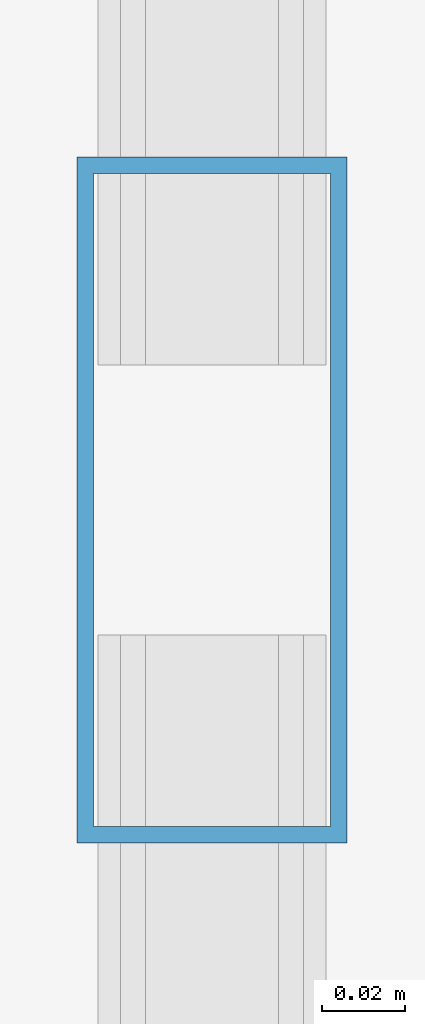
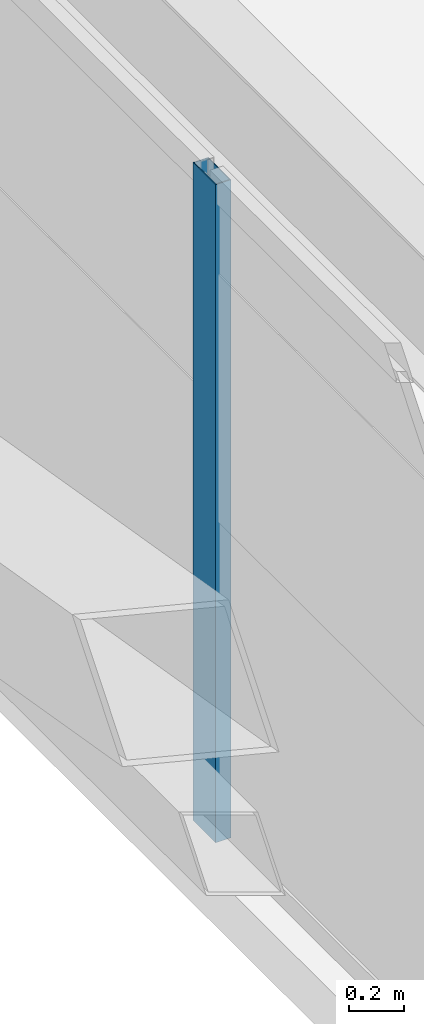
# One storey, part 8 of 59: 1 member, 1 element without a shape of its own.
"""IFC4 building model written with IfcOpenShell, lengths in metres."""

from ifc_helpers import new_model, si_unit, direction, frame, origin, origin_2d, place, context, subcontext, project, spatial, hollow_rectangle, extrude, source, transform, mapped, material, layer, layer_set, material_profile, profile_set, type_object, element, aggregate, save


model = new_model("IFC4")

# Units and contexts
model_context = context("Model", 3, precision=1e-05, world=origin(), true_north=direction((0.0, 1.0)))
body_context = subcontext(model_context, "Body", "Model", "MODEL_VIEW")
ifc_project = project(units=[si_unit("LENGTHUNIT", "METRE"), si_unit("AREAUNIT", "SQUARE_METRE"), si_unit("VOLUMEUNIT", "CUBIC_METRE"), si_unit("PLANEANGLEUNIT", "RADIAN"), si_unit("MASSUNIT", "GRAM", prefix="KILO")], contexts=[model_context])

# Site, building, storey
site_placement = place(None, origin())
site = spatial("IfcSite", under=ifc_project, at=site_placement, CompositionType="ELEMENT")
building_placement = place(site_placement, origin())
building = spatial("IfcBuilding", under=site, at=building_placement, Name="Taldren Reach Tower", CompositionType="ELEMENT")
storey_placement = place(building_placement, frame((0.0, 0.0, 45.14990234375)))
storey = spatial("IfcBuildingStorey", under=building, at=storey_placement, Name="L13", CompositionType="ELEMENT", Elevation=45.14990234375)

# Curtain wall, member
ifc_material_1 = material(Name="Aluminium and Low-E Glass Unitised System", Category="aluminium")
ifc_layer = layer(ifc_material_1, 0.159912109375)
ifc_layer_set = layer_set([ifc_layer], Name="Aluminium and Low-E Glass Unitised System")
curtain_wall_type = type_object("IfcCurtainWallType", Name="CW-SYS-2", PredefinedType="NOTDEFINED", material=ifc_layer_set)
curtain_wall_placement = place(storey_placement, origin())
curtain_wall = element("IfcCurtainWall", 1, at=curtain_wall_placement, inside=storey, type_object=curtain_wall_type, Name="Unitised curtain wall CW-L13-W", PredefinedType="NOTDEFINED")
ifc_material_2 = material(Name="Anodised Aluminium 6063-T6", Category="aluminium")
ifc_material_profile = material_profile(ifc_material_2, hollow_rectangle(XDim=0.06494140625, YDim=0.1650390625, WallThickness=0.00390625, at=origin_2d()), Name="ALU-165x65x4RHS")
ifc_profile_set = profile_set([ifc_material_profile], Name="Anodised Aluminium 6063-T6")
member_type = type_object("IfcMemberType", Name="CW-MUL-165", PredefinedType="MULLION", material=ifc_profile_set)
shared_shape = source(origin(), body_context, "Body", "SweptSolid", [
    extrude(hollow_rectangle(XDim=0.06494140625, YDim=0.1650390625, WallThickness=0.00390625, at=origin_2d()), origin(), (0.0, 0.0, 1.0), 2.93017578125),
])
member_placement = place(storey_placement, frame((5.139892578125, 11.388916015625, 0.0), z_axis=(0.0, 0.0, 1.0), x_axis=(1.0, 0.0, 0.0)))
member = element("IfcMember", 2, at=member_placement, type_object=member_type, Name="CW-2 mullion 8", PredefinedType="MULLION", context=body_context, shape_type="MappedRepresentation", body=[
    mapped(shared_shape, transform((0.0, 0.0, 0.0), scale=1.0)),
])
aggregate(curtain_wall, [member])

save(model, "model.ifc")
